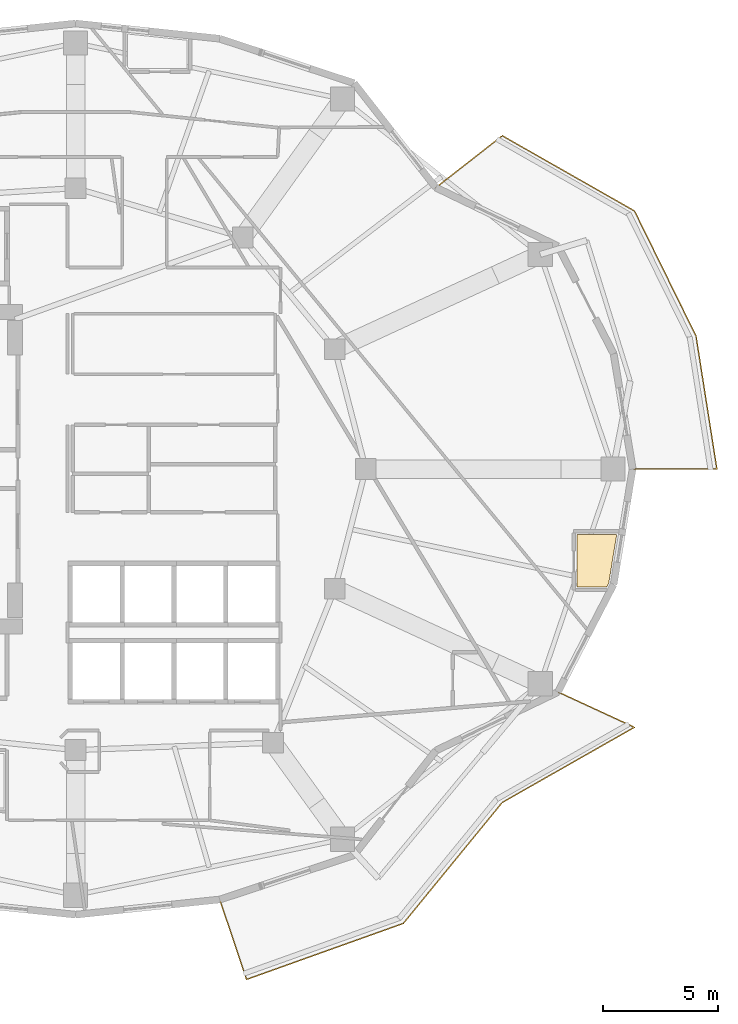
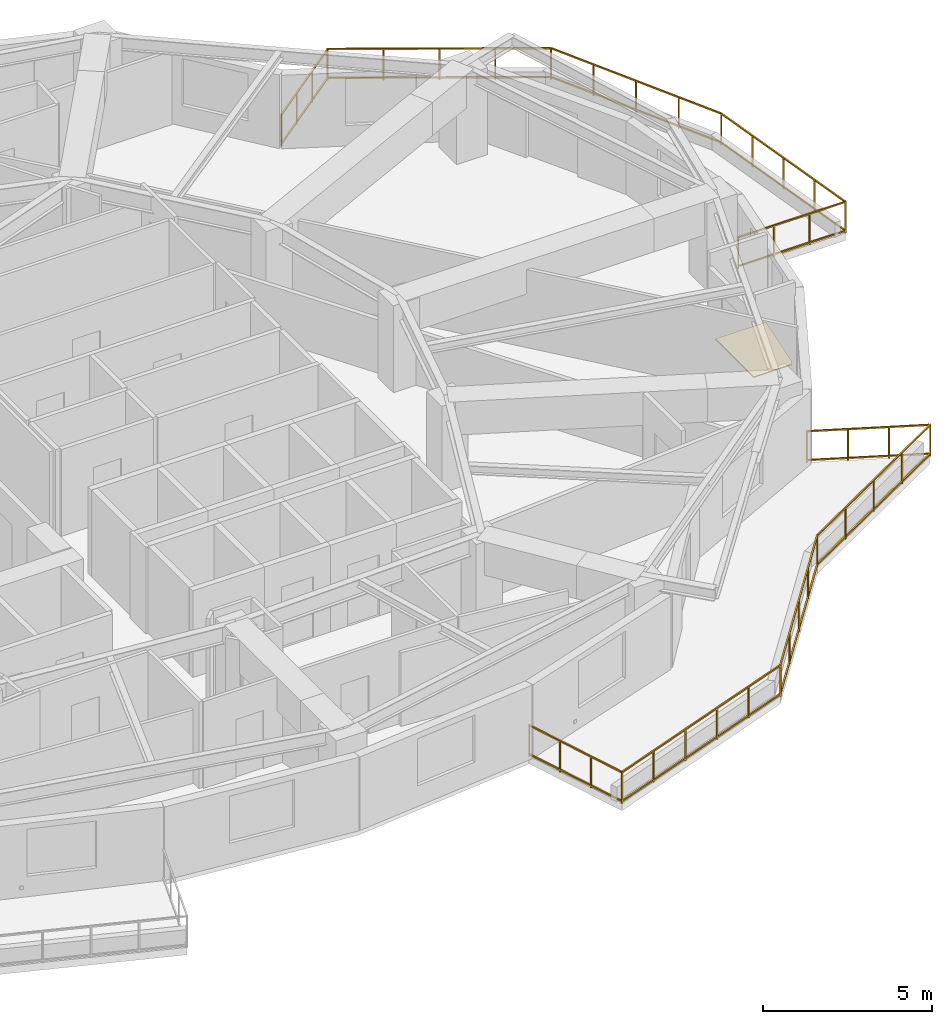
# One storey, part 11 of 12: 2 railings, 1 covering.
"""IFC4 building model written with IfcOpenShell, lengths in metres."""

from ifc_helpers import new_model, si_unit, direction, frame, origin, origin_2d, place, context, subcontext, project, spatial, polyline, rectangle, outline, extrude, material, layer, layer_set, type_object, element, save


model = new_model("IFC4")

# Units and contexts
model_context = context("Model", 3, precision=1e-05, world=origin(), true_north=direction((0.0, 1.0)))
body_context = subcontext(model_context, "Body", "Model", "MODEL_VIEW")
ifc_project = project(units=[si_unit("LENGTHUNIT", "METRE"), si_unit("AREAUNIT", "SQUARE_METRE"), si_unit("VOLUMEUNIT", "CUBIC_METRE"), si_unit("PLANEANGLEUNIT", "RADIAN"), si_unit("MASSUNIT", "GRAM", prefix="KILO")], contexts=[model_context])

# Site, building, storey
site_placement = place(None, origin())
site = spatial("IfcSite", under=ifc_project, at=site_placement, CompositionType="ELEMENT")
building_placement = place(site_placement, origin())
building = spatial("IfcBuilding", under=site, at=building_placement, Name="Kolvaren Gate Tower and Convention Centre", CompositionType="ELEMENT")
storey_placement = place(building_placement, frame((0.0, 0.0, 139.300048828125)))
storey = spatial("IfcBuildingStorey", under=building, at=storey_placement, Name="L35", CompositionType="ELEMENT", Elevation=139.300048828125)

# Covering
ifc_material_1 = material(Name="Honed Sabana Limestone Terrazzo Flooring 30 mm", Category="masonry")
ifc_layer = layer(ifc_material_1, 0.030029296875)
ifc_layer_set = layer_set([ifc_layer], Name="Honed Sabana Limestone Terrazzo Flooring 30 mm")
covering_type = type_object("IfcCoveringType", Name="ARCH-COV-FLR-30", PredefinedType="FLOORING", material=ifc_layer_set)
covering_placement = place(storey_placement, origin())
element("IfcCovering", 1, at=covering_placement, inside=storey, type_object=covering_type, Name="En-suite Bathroom (HTL-L35-07) Interior Finish Flooring", PredefinedType="FLOORING", context=body_context, shape_type="SweptSolid", body=[
    extrude(outline(polyline([(51.889892578125, 21.889892578125), (51.889892578125, 24.159912109375), (53.6220703125, 24.159912109375), (53.27587890625, 22.06201171875), (53.18798828125, 21.889892578125), (51.889892578125, 21.889892578125)])), origin(), (0.0, 0.0, 1.0), 0.030029296875),
])

# Railings
ifc_material_2 = material(Name="Brushed Stainless Steel Grade 316L", Category="steel")
railing_type = type_object("IfcRailingType", Name="ARCH-RL-GUARD-1150", PredefinedType="GUARDRAIL", material=ifc_material_2)
railing_1_placement = place(storey_placement, frame((54.3125, 27.0, 0.0)))
element("IfcRailing", 2, at=railing_1_placement, inside=storey, type_object=railing_type, Name="Tower L35 Terrace Perimeter Guardrail GR-1", PredefinedType="GUARDRAIL", context=body_context, shape_type="SweptSolid", body=[
    extrude(rectangle(XDim=0.048095703125, YDim=0.048095703125, at=origin_2d()), frame((0.028076171875, 0.0, 1.1259765625), z_axis=(1.0, 0.0, 0.0), x_axis=(0.0, 1.0, 0.0)), (0.0, 0.0, 1.0), 3.603759765625),
    extrude(rectangle(XDim=0.048095703125, YDim=0.048095703125, at=origin_2d()), frame((0.028076171875, 0.0, 0.083984375), z_axis=(1.0, 0.0, 0.0), x_axis=(0.0, 1.0, 0.0)), (0.0, 0.0, 1.0), 3.603759765625),
    extrude(rectangle(XDim=0.048095703125, YDim=0.048095703125, at=origin_2d()), frame((3.655517578125, 0.027587890625, 1.1259765625), z_axis=(-0.154903030247, 0.987929679289, 0.0), x_axis=(-0.987929679289, -0.154903030247, 0.0)), (0.0, 0.0, 1.0), 5.78955078125),
    extrude(rectangle(XDim=0.048095703125, YDim=0.048095703125, at=origin_2d()), frame((3.655517578125, 0.027587890625, 0.083984375), z_axis=(-0.154903030247, 0.987929679289, 0.0), x_axis=(-0.987929679289, -0.154903030247, 0.0)), (0.0, 0.0, 1.0), 5.78955078125),
    extrude(rectangle(XDim=0.048095703125, YDim=0.048095703125, at=origin_2d()), frame((2.741943359375, 5.80029296875, 1.1259765625), z_axis=(-0.441237167293, 0.897390529368, 0.0), x_axis=(-0.897390529368, -0.441237167293, 0.0)), (0.0, 0.0, 1.0), 5.999755859375),
    extrude(rectangle(XDim=0.048095703125, YDim=0.048095703125, at=origin_2d()), frame((2.741943359375, 5.80029296875, 0.083984375), z_axis=(-0.441237167293, 0.897390529368, 0.0), x_axis=(-0.897390529368, -0.441237167293, 0.0)), (0.0, 0.0, 1.0), 5.999755859375),
    extrude(rectangle(XDim=0.048095703125, YDim=0.048095703125, at=origin_2d()), frame((0.057861328125, 11.2236328125, 1.1259765625), z_axis=(-0.869196694318, 0.494466486819, 0.0), x_axis=(-0.494466486819, -0.869196694318, 0.0)), (0.0, 0.0, 1.0), 6.55029296875),
    extrude(rectangle(XDim=0.048095703125, YDim=0.048095703125, at=origin_2d()), frame((0.057861328125, 11.2236328125, 0.083984375), z_axis=(-0.869196694318, 0.494466486819, 0.0), x_axis=(-0.494466486819, -0.869196694318, 0.0)), (0.0, 0.0, 1.0), 6.55029296875),
    extrude(rectangle(XDim=0.048095703125, YDim=0.048095703125, at=origin_2d()), frame((-5.68212890625, 14.458984375, 1.1259765625), z_axis=(-0.787963688807, -0.615721710776, 0.0), x_axis=(0.615721710776, -0.787963688807, 0.0)), (0.0, 0.0, 1.0), 3.603759765625),
    extrude(rectangle(XDim=0.048095703125, YDim=0.048095703125, at=origin_2d()), frame((-5.68212890625, 14.458984375, 0.083984375), z_axis=(-0.787963688807, -0.615721710776, 0.0), x_axis=(0.615721710776, -0.787963688807, 0.0)), (0.0, 0.0, 1.0), 3.603759765625),
    extrude(rectangle(XDim=0.0419921875, YDim=0.0419921875, at=origin_2d()), origin(), (0.0, 0.0, 1.0), 1.14990234375),
    extrude(rectangle(XDim=0.0419921875, YDim=0.0419921875, at=origin_2d()), frame((3.659912109375, 0.0, 0.0)), (0.0, 0.0, 1.0), 1.14990234375),
    extrude(rectangle(XDim=0.0419921875, YDim=0.0419921875, at=origin_2d()), frame((1.219970703125, 0.0, 0.0)), (0.0, 0.0, 1.0), 1.099853515625),
    extrude(rectangle(XDim=0.0419921875, YDim=0.0419921875, at=origin_2d()), frame((2.43994140625, 0.0, 0.0)), (0.0, 0.0, 1.0), 1.099853515625),
    extrude(rectangle(XDim=0.0419921875, YDim=0.0419921875, at=origin_2d()), frame((2.75439453125, 5.775146484375, 0.0)), (0.0, 0.0, 1.0), 1.14990234375),
    extrude(rectangle(XDim=0.0419921875, YDim=0.0419921875, at=origin_2d()), frame((3.43359375, 1.44384765625, 0.0)), (0.0, 0.0, 1.0), 1.099853515625),
    extrude(rectangle(XDim=0.0419921875, YDim=0.0419921875, at=origin_2d()), frame((3.20703125, 2.8876953125, 0.0)), (0.0, 0.0, 1.0), 1.099853515625),
    extrude(rectangle(XDim=0.0419921875, YDim=0.0419921875, at=origin_2d()), frame((2.980712890625, 4.331298828125, 0.0)), (0.0, 0.0, 1.0), 1.099853515625),
    extrude(rectangle(XDim=0.0419921875, YDim=0.0419921875, at=origin_2d()), frame((0.082275390625, 11.209716796875, 0.0)), (0.0, 0.0, 1.0), 1.14990234375),
    extrude(rectangle(XDim=0.0419921875, YDim=0.0419921875, at=origin_2d()), frame((2.08642578125, 7.1337890625, 0.0)), (0.0, 0.0, 1.0), 1.099853515625),
    extrude(rectangle(XDim=0.0419921875, YDim=0.0419921875, at=origin_2d()), frame((1.41845703125, 8.492431640625, 0.0)), (0.0, 0.0, 1.0), 1.099853515625),
    extrude(rectangle(XDim=0.0419921875, YDim=0.0419921875, at=origin_2d()), frame((0.750244140625, 9.85107421875, 0.0)), (0.0, 0.0, 1.0), 1.099853515625),
    extrude(rectangle(XDim=0.0419921875, YDim=0.0419921875, at=origin_2d()), frame((-5.659912109375, 14.476318359375, 0.0)), (0.0, 0.0, 1.0), 1.14990234375),
    extrude(rectangle(XDim=0.0419921875, YDim=0.0419921875, at=origin_2d()), frame((-1.353271484375, 12.0263671875, 0.0)), (0.0, 0.0, 1.0), 1.099853515625),
    extrude(rectangle(XDim=0.0419921875, YDim=0.0419921875, at=origin_2d()), frame((-2.788818359375, 12.843017578125, 0.0)), (0.0, 0.0, 1.0), 1.099853515625),
    extrude(rectangle(XDim=0.0419921875, YDim=0.0419921875, at=origin_2d()), frame((-4.224365234375, 13.65966796875, 0.0)), (0.0, 0.0, 1.0), 1.099853515625),
    extrude(rectangle(XDim=0.0419921875, YDim=0.0419921875, at=origin_2d()), frame((-8.543701171875, 12.222900390625, 0.0)), (0.0, 0.0, 1.0), 1.14990234375),
    extrude(rectangle(XDim=0.0419921875, YDim=0.0419921875, at=origin_2d()), frame((-6.62109375, 13.72509765625, 0.0)), (0.0, 0.0, 1.0), 1.099853515625),
    extrude(rectangle(XDim=0.0419921875, YDim=0.0419921875, at=origin_2d()), frame((-7.58251953125, 12.97412109375, 0.0)), (0.0, 0.0, 1.0), 1.099853515625),
])
railing_2_placement = place(storey_placement, frame((36.38525390625, 8.309326171875, 0.0)))
element("IfcRailing", 3, at=railing_2_placement, inside=storey, type_object=railing_type, Name="Tower L35 Terrace Perimeter Guardrail GR-4", PredefinedType="GUARDRAIL", context=body_context, shape_type="SweptSolid", body=[
    extrude(rectangle(XDim=0.048095703125, YDim=0.048095703125, at=origin_2d()), frame((0.0087890625, -0.026611328125, 1.1259765625), z_axis=(0.317588247294, -0.948228719867, 0.0), x_axis=(0.948228719867, 0.317588247294, 0.0)), (0.0, 0.0, 1.0), 3.603759765625),
    extrude(rectangle(XDim=0.048095703125, YDim=0.048095703125, at=origin_2d()), frame((0.0087890625, -0.026611328125, 0.083984375), z_axis=(0.317588247294, -0.948228719867, 0.0), x_axis=(0.948228719867, 0.317588247294, 0.0)), (0.0, 0.0, 1.0), 3.603759765625),
    extrude(rectangle(XDim=0.048095703125, YDim=0.048095703125, at=origin_2d()), frame((1.188720703125, -3.4609375, 1.1259765625), z_axis=(0.941628873241, 0.336652736627, 0.0), x_axis=(-0.336652736627, 0.941628873241, 0.0)), (0.0, 0.0, 1.0), 7.17919921875),
    extrude(rectangle(XDim=0.048095703125, YDim=0.048095703125, at=origin_2d()), frame((1.188720703125, -3.4609375, 0.083984375), z_axis=(0.941628873241, 0.336652736627, 0.0), x_axis=(-0.336652736627, 0.941628873241, 0.0)), (0.0, 0.0, 1.0), 7.17919921875),
    extrude(rectangle(XDim=0.048095703125, YDim=0.048095703125, at=origin_2d()), frame((7.9931640625, -1.012939453125, 1.1259765625), z_axis=(0.633002467947, 0.77414977593, 0.0), x_axis=(-0.77414977593, 0.633002467947, 0.0)), (0.0, 0.0, 1.0), 6.724365234375),
    extrude(rectangle(XDim=0.048095703125, YDim=0.048095703125, at=origin_2d()), frame((7.9931640625, -1.012939453125, 0.083984375), z_axis=(0.633002467947, 0.77414977593, 0.0), x_axis=(-0.77414977593, 0.633002467947, 0.0)), (0.0, 0.0, 1.0), 6.724365234375),
    extrude(rectangle(XDim=0.048095703125, YDim=0.048095703125, at=origin_2d()), frame((12.291748046875, 4.228271484375, 1.1259765625), z_axis=(0.869196694318, 0.494466486819, 0.0), x_axis=(-0.494466486819, 0.869196694318, 0.0)), (0.0, 0.0, 1.0), 6.55029296875),
    extrude(rectangle(XDim=0.048095703125, YDim=0.048095703125, at=origin_2d()), frame((12.291748046875, 4.228271484375, 0.083984375), z_axis=(0.869196694318, 0.494466486819, 0.0), x_axis=(-0.494466486819, 0.869196694318, 0.0)), (0.0, 0.0, 1.0), 6.55029296875),
    extrude(rectangle(XDim=0.048095703125, YDim=0.048095703125, at=origin_2d()), frame((17.984130859375, 7.49267578125, 1.1259765625), z_axis=(-0.907846116663, 0.419303503993, 0.0), x_axis=(-0.419303503993, -0.907846116663, 0.0)), (0.0, 0.0, 1.0), 3.60400390625),
    extrude(rectangle(XDim=0.048095703125, YDim=0.048095703125, at=origin_2d()), frame((17.984130859375, 7.49267578125, 0.083984375), z_axis=(-0.907846116663, 0.419303503993, 0.0), x_axis=(-0.419303503993, -0.907846116663, 0.0)), (0.0, 0.0, 1.0), 3.60400390625),
    extrude(rectangle(XDim=0.0419921875, YDim=0.0419921875, at=origin_2d()), origin(), (0.0, 0.0, 1.0), 1.14990234375),
    extrude(rectangle(XDim=0.0419921875, YDim=0.0419921875, at=origin_2d()), frame((1.162353515625, -3.470458984375, 0.0)), (0.0, 0.0, 1.0), 1.14990234375),
    extrude(rectangle(XDim=0.0419921875, YDim=0.0419921875, at=origin_2d()), frame((0.387451171875, -1.15673828125, 0.0)), (0.0, 0.0, 1.0), 1.099853515625),
    extrude(rectangle(XDim=0.0419921875, YDim=0.0419921875, at=origin_2d()), frame((0.77490234375, -2.313720703125, 0.0)), (0.0, 0.0, 1.0), 1.099853515625),
    extrude(rectangle(XDim=0.0419921875, YDim=0.0419921875, at=origin_2d()), frame((7.975341796875, -1.03466796875, 0.0)), (0.0, 0.0, 1.0), 1.14990234375),
    extrude(rectangle(XDim=0.0419921875, YDim=0.0419921875, at=origin_2d()), frame((2.52490234375, -2.9833984375, 0.0)), (0.0, 0.0, 1.0), 1.099853515625),
    extrude(rectangle(XDim=0.0419921875, YDim=0.0419921875, at=origin_2d()), frame((3.887451171875, -2.49609375, 0.0)), (0.0, 0.0, 1.0), 1.099853515625),
    extrude(rectangle(XDim=0.0419921875, YDim=0.0419921875, at=origin_2d()), frame((5.250244140625, -2.009033203125, 0.0)), (0.0, 0.0, 1.0), 1.099853515625),
    extrude(rectangle(XDim=0.0419921875, YDim=0.0419921875, at=origin_2d()), frame((6.61279296875, -1.521728515625, 0.0)), (0.0, 0.0, 1.0), 1.099853515625),
    extrude(rectangle(XDim=0.0419921875, YDim=0.0419921875, at=origin_2d()), frame((12.267333984375, 4.21435546875, 0.0)), (0.0, 0.0, 1.0), 1.14990234375),
    extrude(rectangle(XDim=0.0419921875, YDim=0.0419921875, at=origin_2d()), frame((9.04833984375, 0.277587890625, 0.0)), (0.0, 0.0, 1.0), 1.099853515625),
    extrude(rectangle(XDim=0.0419921875, YDim=0.0419921875, at=origin_2d()), frame((10.121337890625, 1.58984375, 0.0)), (0.0, 0.0, 1.0), 1.099853515625),
    extrude(rectangle(XDim=0.0419921875, YDim=0.0419921875, at=origin_2d()), frame((11.1943359375, 2.902099609375, 0.0)), (0.0, 0.0, 1.0), 1.099853515625),
    extrude(rectangle(XDim=0.0419921875, YDim=0.0419921875, at=origin_2d()), frame((18.009521484375, 7.48095703125, 0.0)), (0.0, 0.0, 1.0), 1.14990234375),
    extrude(rectangle(XDim=0.0419921875, YDim=0.0419921875, at=origin_2d()), frame((13.702880859375, 5.031005859375, 0.0)), (0.0, 0.0, 1.0), 1.099853515625),
    extrude(rectangle(XDim=0.0419921875, YDim=0.0419921875, at=origin_2d()), frame((15.138427734375, 5.84765625, 0.0)), (0.0, 0.0, 1.0), 1.099853515625),
    extrude(rectangle(XDim=0.0419921875, YDim=0.0419921875, at=origin_2d()), frame((16.573974609375, 6.664306640625, 0.0)), (0.0, 0.0, 1.0), 1.099853515625),
    extrude(rectangle(XDim=0.0419921875, YDim=0.0419921875, at=origin_2d()), frame((14.686767578125, 9.015625, 0.0)), (0.0, 0.0, 1.0), 1.14990234375),
    extrude(rectangle(XDim=0.0419921875, YDim=0.0419921875, at=origin_2d()), frame((16.90185546875, 7.992431640625, 0.0)), (0.0, 0.0, 1.0), 1.099853515625),
    extrude(rectangle(XDim=0.0419921875, YDim=0.0419921875, at=origin_2d()), frame((15.79443359375, 8.504150390625, 0.0)), (0.0, 0.0, 1.0), 1.099853515625),
])

save(model, "model.ifc")
